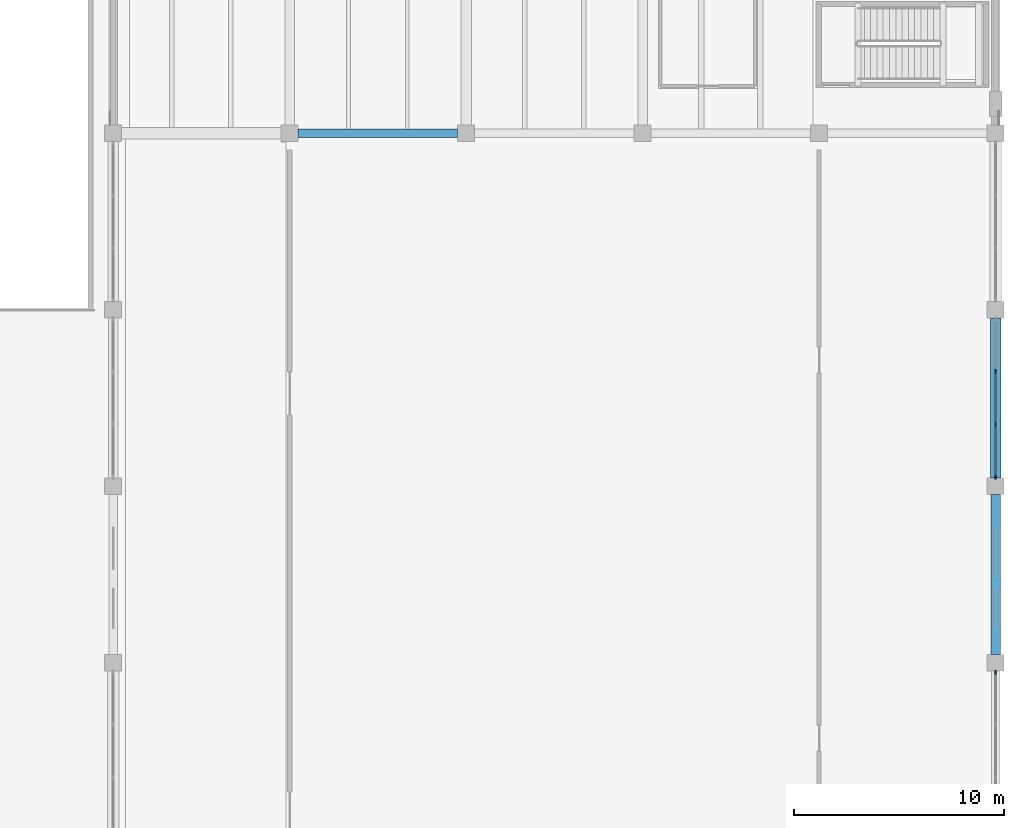
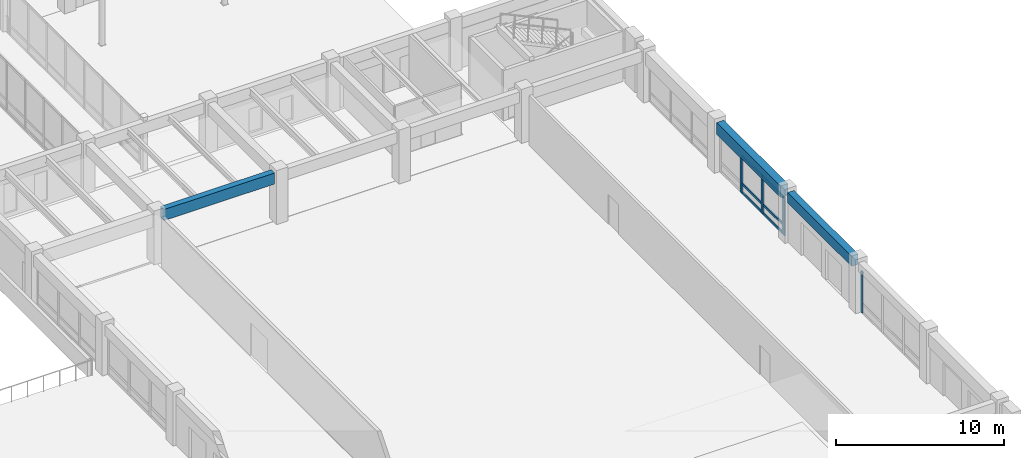
# One storey, part 56 of 135: 10 members, 3 beams, 2 elements without a shape of their own.
"""IFC4 building model written with IfcOpenShell, lengths in metres."""

from ifc_helpers import new_model, si_unit, direction, frame, origin, origin_2d, place, context, subcontext, project, spatial, rectangle, extrude, material, material_profile, profile_set, type_object, element, aggregate, save


model = new_model("IFC4")

# Units and contexts
model_context = context("Model", 3, precision=1e-05, world=origin(), true_north=direction((0.0, 1.0)))
body_context = subcontext(model_context, "Body", "Model", "MODEL_VIEW")
ifc_project = project(units=[si_unit("LENGTHUNIT", "METRE"), si_unit("AREAUNIT", "SQUARE_METRE"), si_unit("VOLUMEUNIT", "CUBIC_METRE"), si_unit("PLANEANGLEUNIT", "RADIAN"), si_unit("MASSUNIT", "GRAM", prefix="KILO")], contexts=[model_context])

# Site, building, storey
site_placement = place(None, origin())
site = spatial("IfcSite", under=ifc_project, at=site_placement, CompositionType="ELEMENT")
building_placement = place(site_placement, origin())
building = spatial("IfcBuilding", under=site, at=building_placement, Name="Cumbredor Promenade Congress Hotel", CompositionType="ELEMENT")
storey_placement = place(building_placement, origin())
storey = spatial("IfcBuildingStorey", under=building, at=storey_placement, Name="L00", CompositionType="ELEMENT", Elevation=0.0)

# Beams
ifc_material_1 = material(Name="Concrete C40/50", Category="concrete")
ifc_material_profile_1 = material_profile(ifc_material_1, rectangle(XDim=0.449951171875, YDim=0.75, at=origin_2d()), Name="RC BEAM 450x750")
ifc_profile_set_1 = profile_set([ifc_material_profile_1], Name="Concrete C40/50")
beam_type_1 = type_object("IfcBeamType", Name="BM-RC-450x750", PredefinedType="BEAM", material=ifc_profile_set_1)
beam_1_placement = place(storey_placement, frame((184.800048828125, 34.0, 3.264892578125), z_axis=(0.0, 1.0, 0.0), x_axis=(-1.0, 0.0, 0.0)))
element("IfcBeam", 1, at=beam_1_placement, inside=storey, type_object=beam_type_1, Name="L01 Y-Grid Beam 279", PredefinedType="BEAM", context=body_context, shape_type="SweptSolid", body=[
    extrude(rectangle(XDim=0.449951171875, YDim=0.75, at=origin_2d()), origin(), (0.0, 0.0, 1.0), 7.60009765625),
])
ifc_material_profile_2 = material_profile(ifc_material_1, rectangle(XDim=0.5, YDim=0.85009765625, at=origin_2d()), Name="RC BEAM 500x850")
ifc_profile_set_2 = profile_set([ifc_material_profile_2], Name="Concrete C40/50")
beam_type_2 = type_object("IfcBeamType", Name="BM-RC-500x850", PredefinedType="BEAM", material=ifc_profile_set_2)
beam_2_placement = place(storey_placement, frame((184.800048828125, 42.39990234375, 3.215087890625), z_axis=(0.0, 1.0, 0.0), x_axis=(-1.0, 0.0, 0.0)))
element("IfcBeam", 2, at=beam_2_placement, inside=storey, type_object=beam_type_2, Name="L01 Y-Grid Beam 280", PredefinedType="BEAM", context=body_context, shape_type="SweptSolid", body=[
    extrude(rectangle(XDim=0.5, YDim=0.85009765625, at=origin_2d()), origin(), (0.0, 0.0, 1.0), 7.60009765625),
])

# Curtain wall, member
ifc_material_2 = material(Name="Thermally broken anodized aluminium and low-E glass", Category="aluminium")
curtain_wall_type = type_object("IfcCurtainWallType", Name="Unitised Grand Foyer Curtain Wall CW-04", PredefinedType="NOTDEFINED", material=ifc_material_2)
curtain_wall_1_placement = place(storey_placement, origin())
curtain_wall_1 = element("IfcCurtainWall", 3, at=curtain_wall_1_placement, inside=storey, type_object=curtain_wall_type, Name="L00 Grand Ballroom Pavilion East Curtain Wall 3", PredefinedType="NOTDEFINED")
ifc_material_3 = material(Name="Thermally broken anodized aluminium", Category="aluminium")
ifc_material_profile_3 = material_profile(ifc_material_3, rectangle(XDim=0.074951171875, YDim=0.199951171875, at=origin_2d()), Name="ALU MULLION 75x200")
ifc_profile_set_3 = profile_set([ifc_material_profile_3], Name="Thermally broken anodized aluminium")
member_type_1 = type_object("IfcMemberType", Name="Curtain Wall Mullion ML-02", PredefinedType="MULLION", material=ifc_profile_set_3)
member_1_placement = place(storey_placement, frame((184.800048828125, 33.14501953125, -0.008056640625), z_axis=(0.0, 0.0, 1.0), x_axis=(1.0, 0.0, 0.0)))
member_1 = element("IfcMember", 4, at=member_1_placement, type_object=member_type_1, Name="L00 Grand Ballroom Pavilion East Curtain Wall 3 Mullion 4", PredefinedType="MULLION", context=body_context, shape_type="SweptSolid", body=[
    extrude(rectangle(XDim=0.074951171875, YDim=0.199951171875, at=origin_2d()), origin(), (0.0, 0.0, 1.0), 2.990966796875),
])
aggregate(curtain_wall_1, [member_1])

# Curtain wall, members
curtain_wall_2_placement = place(storey_placement, origin())
curtain_wall_2 = element("IfcCurtainWall", 5, at=curtain_wall_2_placement, inside=storey, type_object=curtain_wall_type, Name="L00 Grand Ballroom Pavilion East Curtain Wall 5", PredefinedType="NOTDEFINED")
ifc_material_profile_4 = material_profile(ifc_material_3, rectangle(XDim=0.080078125, YDim=0.239990234375, at=origin_2d()), Name="ALU MULLION 80x240")
ifc_profile_set_4 = profile_set([ifc_material_profile_4], Name="Thermally broken anodized aluminium")
member_type_2 = type_object("IfcMemberType", Name="Curtain Wall Mullion ML-03", PredefinedType="MULLION", material=ifc_profile_set_4)
member_2_placement = place(storey_placement, frame((184.800048828125, 42.455078125, -0.008056640625), z_axis=(0.0, 0.0, 1.0), x_axis=(1.0, 0.0, 0.0)))
member_2 = element("IfcMember", 6, at=member_2_placement, type_object=member_type_2, Name="L00 Grand Ballroom Pavilion East Curtain Wall 5 Mullion 1", PredefinedType="MULLION", context=body_context, shape_type="SweptSolid", body=[
    extrude(rectangle(XDim=0.080078125, YDim=0.239990234375, at=origin_2d()), origin(), (0.0, 0.0, 1.0), 2.791015625),
])
member_3_placement = place(storey_placement, frame((184.800048828125, 44.95166015625, -0.008056640625), z_axis=(0.0, 0.0, 1.0), x_axis=(1.0, 0.0, 0.0)))
member_3 = element("IfcMember", 7, at=member_3_placement, type_object=member_type_2, Name="L00 Grand Ballroom Pavilion East Curtain Wall 5 Mullion 2", PredefinedType="MULLION", context=body_context, shape_type="SweptSolid", body=[
    extrude(rectangle(XDim=0.080078125, YDim=0.239990234375, at=origin_2d()), origin(), (0.0, 0.0, 1.0), 2.791015625),
])
member_4_placement = place(storey_placement, frame((184.800048828125, 47.4482421875, -0.008056640625), z_axis=(0.0, 0.0, 1.0), x_axis=(1.0, 0.0, 0.0)))
member_4 = element("IfcMember", 8, at=member_4_placement, type_object=member_type_2, Name="L00 Grand Ballroom Pavilion East Curtain Wall 5 Mullion 3", PredefinedType="MULLION", context=body_context, shape_type="SweptSolid", body=[
    extrude(rectangle(XDim=0.080078125, YDim=0.239990234375, at=origin_2d()), origin(), (0.0, 0.0, 1.0), 2.791015625),
])
ifc_material_profile_5 = material_profile(ifc_material_3, rectangle(XDim=0.080078125, YDim=0.179931640625, at=origin_2d()), Name="ALU TRANSOM 80x180")
ifc_profile_set_5 = profile_set([ifc_material_profile_5], Name="Thermally broken anodized aluminium")
member_type_3 = type_object("IfcMemberType", Name="Curtain Wall Transom TR-03", PredefinedType="USERDEFINED", material=ifc_profile_set_5)
member_5_placement = place(storey_placement, frame((184.800048828125, 42.4951171875, 0.090087890625), z_axis=(0.0, 1.0, 0.0), x_axis=(-1.0, 0.0, 0.0)))
member_5 = element("IfcMember", 9, at=member_5_placement, type_object=member_type_3, Name="L00 Grand Ballroom Pavilion East Curtain Wall 5 Transom 1.1", ObjectType="TRANSOM", PredefinedType="USERDEFINED", context=body_context, shape_type="SweptSolid", body=[
    extrude(rectangle(XDim=0.080078125, YDim=0.179931640625, at=origin_2d()), origin(), (0.0, 0.0, 1.0), 2.41650390625),
])
member_6_placement = place(storey_placement, frame((184.800048828125, 42.4951171875, 0.719970703125), z_axis=(0.0, 1.0, 0.0), x_axis=(-1.0, 0.0, 0.0)))
member_6 = element("IfcMember", 10, at=member_6_placement, type_object=member_type_3, Name="L00 Grand Ballroom Pavilion East Curtain Wall 5 Transom 1.2", ObjectType="TRANSOM", PredefinedType="USERDEFINED", context=body_context, shape_type="SweptSolid", body=[
    extrude(rectangle(XDim=0.080078125, YDim=0.179931640625, at=origin_2d()), origin(), (0.0, 0.0, 1.0), 2.41650390625),
])
member_7_placement = place(storey_placement, frame((184.800048828125, 42.4951171875, 2.68994140625), z_axis=(0.0, 1.0, 0.0), x_axis=(-1.0, 0.0, 0.0)))
member_7 = element("IfcMember", 11, at=member_7_placement, type_object=member_type_3, Name="L00 Grand Ballroom Pavilion East Curtain Wall 5 Transom 1.3", ObjectType="TRANSOM", PredefinedType="USERDEFINED", context=body_context, shape_type="SweptSolid", body=[
    extrude(rectangle(XDim=0.080078125, YDim=0.179931640625, at=origin_2d()), origin(), (0.0, 0.0, 1.0), 2.41650390625),
])
member_8_placement = place(storey_placement, frame((184.800048828125, 44.99169921875, 0.090087890625), z_axis=(0.0, 1.0, 0.0), x_axis=(-1.0, 0.0, 0.0)))
member_8 = element("IfcMember", 12, at=member_8_placement, type_object=member_type_3, Name="L00 Grand Ballroom Pavilion East Curtain Wall 5 Transom 2.1", ObjectType="TRANSOM", PredefinedType="USERDEFINED", context=body_context, shape_type="SweptSolid", body=[
    extrude(rectangle(XDim=0.080078125, YDim=0.179931640625, at=origin_2d()), origin(), (0.0, 0.0, 1.0), 2.41650390625),
])
member_9_placement = place(storey_placement, frame((184.800048828125, 44.99169921875, 0.719970703125), z_axis=(0.0, 1.0, 0.0), x_axis=(-1.0, 0.0, 0.0)))
member_9 = element("IfcMember", 13, at=member_9_placement, type_object=member_type_3, Name="L00 Grand Ballroom Pavilion East Curtain Wall 5 Transom 2.2", ObjectType="TRANSOM", PredefinedType="USERDEFINED", context=body_context, shape_type="SweptSolid", body=[
    extrude(rectangle(XDim=0.080078125, YDim=0.179931640625, at=origin_2d()), origin(), (0.0, 0.0, 1.0), 2.41650390625),
])
member_10_placement = place(storey_placement, frame((184.800048828125, 44.99169921875, 2.68994140625), z_axis=(0.0, 1.0, 0.0), x_axis=(-1.0, 0.0, 0.0)))
member_10 = element("IfcMember", 14, at=member_10_placement, type_object=member_type_3, Name="L00 Grand Ballroom Pavilion East Curtain Wall 5 Transom 2.3", ObjectType="TRANSOM", PredefinedType="USERDEFINED", context=body_context, shape_type="SweptSolid", body=[
    extrude(rectangle(XDim=0.080078125, YDim=0.179931640625, at=origin_2d()), origin(), (0.0, 0.0, 1.0), 2.41650390625),
])
aggregate(curtain_wall_2, [member_2, member_3, member_4, member_5, member_6, member_7, member_8, member_9, member_10])

# Beam
ifc_material_profile_6 = material_profile(ifc_material_1, rectangle(XDim=0.39990234375, YDim=0.800048828125, at=origin_2d()), Name="RC SPANDREL 400x800")
ifc_profile_set_6 = profile_set([ifc_material_profile_6], Name="Concrete C40/50")
beam_type_3 = type_object("IfcBeamType", Name="SP-RC-400x800", PredefinedType="SPANDREL", material=ifc_profile_set_6)
beam_3_placement = place(storey_placement, frame((151.60009765625, 58.800048828125, 3.239990234375), z_axis=(1.0, 0.0, 0.0), x_axis=(0.0, 1.0, 0.0)))
element("IfcBeam", 15, at=beam_3_placement, inside=storey, type_object=beam_type_3, Name="L01 X-Grid Beam 230", PredefinedType="SPANDREL", context=body_context, shape_type="SweptSolid", body=[
    extrude(rectangle(XDim=0.39990234375, YDim=0.800048828125, at=origin_2d()), origin(), (0.0, 0.0, 1.0), 7.599853515625),
])

save(model, "model.ifc")
